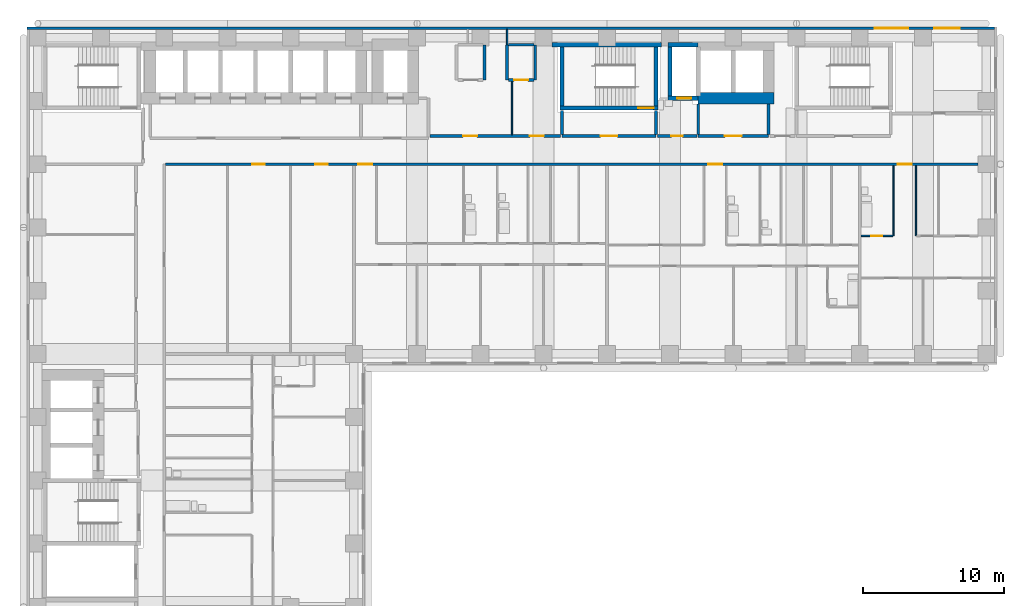
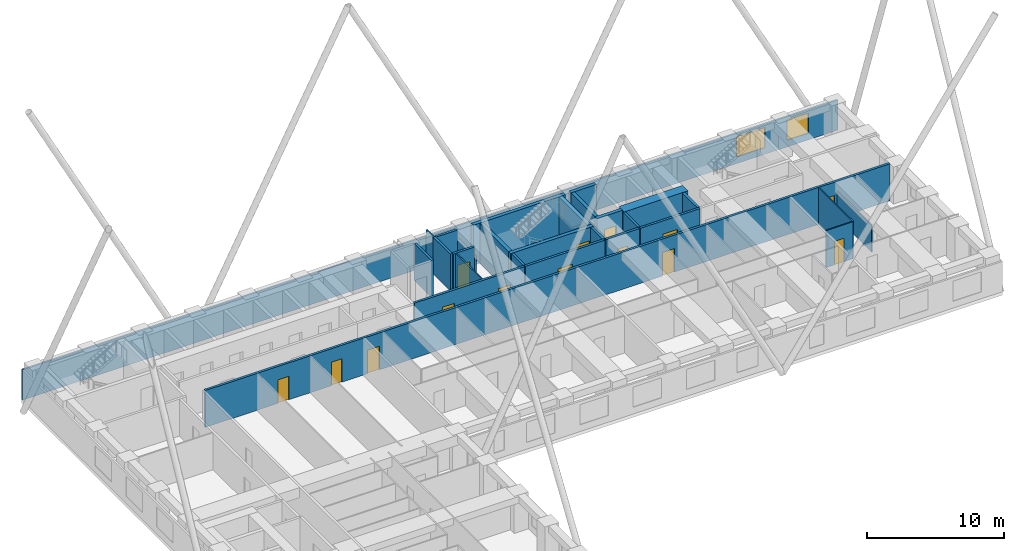
# One storey, part 8 of 12: 28 walls, 14 doors, 2 windows, 16 openings.
"""IFC4 building model written with IfcOpenShell, lengths in metres."""

from ifc_helpers import new_model, si_unit, direction, frame, frame_2d, origin, place, context, subcontext, project, spatial, rectangle, extrude, material, layer, layer_set, type_object, element, fill, save


model = new_model("IFC4")

# Units and contexts
model_context = context("Model", 3, precision=1e-05, world=origin(), true_north=direction((0.0, 1.0)))
body_context = subcontext(model_context, "Body", "Model", "MODEL_VIEW")
ifc_project = project(units=[si_unit("LENGTHUNIT", "METRE"), si_unit("AREAUNIT", "SQUARE_METRE"), si_unit("VOLUMEUNIT", "CUBIC_METRE"), si_unit("PLANEANGLEUNIT", "RADIAN"), si_unit("MASSUNIT", "GRAM", prefix="KILO")], contexts=[model_context])

# Site, building, storey
site_placement = place(None, origin())
site = spatial("IfcSite", under=ifc_project, at=site_placement, CompositionType="ELEMENT")
building_placement = place(site_placement, origin())
building = spatial("IfcBuilding", under=site, at=building_placement, Name="Firuza Court", CompositionType="ELEMENT")
storey_placement = place(building_placement, frame((0.0, 0.0, 93.800048828125)))
storey = spatial("IfcBuildingStorey", under=building, at=storey_placement, Name="L23", CompositionType="ELEMENT", Elevation=93.800048828125)

# Walls
ifc_material_1 = material(Name="Moisture-resistant gypsum board partition")
ifc_layer_1 = layer(ifc_material_1, 0.10009765625)
ifc_layer_set_1 = layer_set([ifc_layer_1], Name="Moisture-resistant gypsum board partition")
wall_type_1 = type_object("IfcWallType", Name="Bathroom partition 100", PredefinedType="PLUMBINGWALL", material=ifc_layer_set_1)
wall_1_placement = place(storey_placement, frame((60.89990234375, 44.39990234375, 0.0), z_axis=(0.0, 0.0, 1.0), x_axis=(0.0, 1.0, 0.0)))
element("IfcWall", 1, at=wall_1_placement, inside=storey, type_object=wall_type_1, Name="Bathroom partition 100 L23", PredefinedType="PLUMBINGWALL", context=body_context, shape_type="SweptSolid", body=[
    extrude(rectangle(XDim=5.0, YDim=0.10009765625, at=frame_2d((2.5, 0.0))), origin(), (0.0, 0.0, 1.0), 3.300048828125),
])
ifc_material_2 = material(Name="Concrete C60/75", Category="concrete")
ifc_layer_2 = layer(ifc_material_2, 0.300048828125)
ifc_layer_set_2 = layer_set([ifc_layer_2], Name="Concrete C60/75")
wall_type_2 = type_object("IfcWallType", Name="Core wall 300 C60/75", PredefinedType="SHEAR", material=ifc_layer_set_2)
wall_2_placement = place(storey_placement, frame((36.60009765625, 58.0, -0.300048828125), z_axis=(0.0, 0.0, 1.0), x_axis=(1.0, 0.0, 0.0)))
element("IfcWall", 2, at=wall_2_placement, inside=storey, type_object=wall_type_2, Name="Core wall stair L23", PredefinedType="SHEAR", context=body_context, shape_type="SweptSolid", body=[
    extrude(rectangle(XDim=7.7998046875, YDim=0.300048828125, at=frame_2d((3.89990234375, 0.0))), origin(), (0.0, 0.0, 1.0), 3.60009765625),
])

# Wall, opening, door
wall_3_placement = place(storey_placement, frame((37.14990234375, 53.5, -0.300048828125), z_axis=(0.0, 0.0, 1.0), x_axis=(1.0, 0.0, 0.0)))
wall_3 = element("IfcWall", 3, at=wall_3_placement, inside=storey, type_object=wall_type_2, Name="Core wall stair L23", PredefinedType="SHEAR", context=body_context, shape_type="SweptSolid", body=[
    extrude(rectangle(XDim=7.0, YDim=0.300048828125, at=frame_2d((3.5, 0.0))), origin(), (0.0, 0.0, 1.0), 3.60009765625),
])
opening_1_placement = place(wall_3_placement, frame((5.580078125, 0.0, 0.300048828125)))
opening_1 = element("IfcOpeningElement", 4, at=opening_1_placement, cuts=wall_3, Name="Opening D23013", PredefinedType="OPENING", context=body_context, shape_type="SweptSolid", body=[
    extrude(rectangle(XDim=1.10009765625, YDim=2.10009765625, at=frame_2d((0.550048828125, 1.050048828125))), frame((0.0, 0.162109375, 0.0), z_axis=(0.0, -1.0, 0.0), x_axis=(1.0, 0.0, 0.0)), (0.0, 0.0, 1.0), 0.323974609375),
])
ifc_material_3 = material(Name="Timber door leaf in hardwood frame", Category="wood")
door_type_1 = type_object("IfcDoorType", Name="Stair door 1100", OperationType="SINGLE_SWING_LEFT", PredefinedType="DOOR", material=ifc_material_3)
door_1_placement = place(opening_1_placement, origin())
door_1 = element("IfcDoor", 5, at=door_1_placement, inside=storey, type_object=door_type_1, Name="Stair door S1", OperationType="SINGLE_SWING_RIGHT", OverallHeight=2.10009765625, OverallWidth=1.10009765625, PredefinedType="DOOR", context=body_context, shape_type="SweptSolid", body=[
    extrude(rectangle(XDim=1.10009765625, YDim=2.10009765625, at=frame_2d((0.550048828125, 1.050048828125))), frame((0.0, 0.02490234375, 0.0), z_axis=(0.0, -1.0, 0.0), x_axis=(1.0, 0.0, 0.0)), (0.0, 0.0, 1.0), 0.050048828125),
])
fill(opening_1, door_1)

# Walls
for number, where, z_axis, x_axis, name in (
    (6, (37.300048828125, 53.64990234375, -0.300048828125), (0.0, 0.0, 1.0), (0.0, 1.0, 0.0), "Core wall stair L23"),
    (7, (44.0, 53.64990234375, -0.300048828125), (0.0, 0.0, 1.0), (0.0, 1.0, 0.0), "Core wall stair L23"),
):
    element("IfcWall", number, at=place(storey_placement, frame(where, z_axis=z_axis, x_axis=x_axis)), inside=storey, type_object=wall_type_2, Name=name, PredefinedType="SHEAR", context=body_context, shape_type="SweptSolid", body=[
        extrude(rectangle(XDim=4.2001953125, YDim=0.300048828125, at=frame_2d((2.10009765625, 0.0))), origin(), (0.0, 0.0, 1.0), 3.60009765625),
    ])

# Wall, opening, door
wall_4_placement = place(storey_placement, frame((44.85009765625, 54.199951171875, -0.300048828125), z_axis=(0.0, 0.0, 1.0), x_axis=(1.0, 0.0, 0.0)))
wall_4 = element("IfcWall", 8, at=wall_4_placement, inside=storey, type_object=wall_type_2, Name="Core wall riser L23", PredefinedType="SHEAR", context=body_context, shape_type="SweptSolid", body=[
    extrude(rectangle(XDim=2.14990234375, YDim=0.300048828125, at=frame_2d((1.074951171875, 0.0))), origin(), (0.0, 0.0, 1.0), 3.60009765625),
])
opening_2_placement = place(wall_4_placement, frame((0.64990234375, 0.0, 0.300048828125)))
opening_2 = element("IfcOpeningElement", 9, at=opening_2_placement, cuts=wall_4, Name="Opening D23011", PredefinedType="OPENING", context=body_context, shape_type="SweptSolid", body=[
    extrude(rectangle(XDim=1.0, YDim=2.10009765625, at=frame_2d((0.5, 1.050048828125))), frame((0.0, 0.162109375, 0.0), z_axis=(0.0, -1.0, 0.0), x_axis=(1.0, 0.0, 0.0)), (0.0, 0.0, 1.0), 0.323974609375),
])
ifc_material_4 = material(Name="Timber door leaf in hardwood frame", Category="wood")
door_type_2 = type_object("IfcDoorType", Name="Riser door 1000", OperationType="SINGLE_SWING_LEFT", PredefinedType="DOOR", material=ifc_material_4)
door_2_placement = place(opening_2_placement, origin())
door_2 = element("IfcDoor", 10, at=door_2_placement, inside=storey, type_object=door_type_2, Name="Riser door R3", OperationType="SINGLE_SWING_LEFT", OverallHeight=2.10009765625, OverallWidth=1.0, PredefinedType="DOOR", context=body_context, shape_type="SweptSolid", body=[
    extrude(rectangle(XDim=1.0, YDim=2.10009765625, at=frame_2d((0.5, 1.050048828125))), frame((0.0, 0.02490234375, 0.0), z_axis=(0.0, -1.0, 0.0), x_axis=(1.0, 0.0, 0.0)), (0.0, 0.0, 1.0), 0.050048828125),
])
fill(opening_2, door_2)

# Walls
wall_5_placement = place(storey_placement, frame((44.85009765625, 58.0, -0.300048828125), z_axis=(0.0, 0.0, 1.0), x_axis=(1.0, 0.0, 0.0)))
element("IfcWall", 11, at=wall_5_placement, inside=storey, type_object=wall_type_2, Name="Core wall riser L23", PredefinedType="SHEAR", context=body_context, shape_type="SweptSolid", body=[
    extrude(rectangle(XDim=2.14990234375, YDim=0.300048828125, at=frame_2d((1.074951171875, 0.0))), origin(), (0.0, 0.0, 1.0), 3.60009765625),
])
wall_6_placement = place(storey_placement, frame((45.0, 54.35009765625, -0.300048828125), z_axis=(0.0, 0.0, 1.0), x_axis=(0.0, 1.0, 0.0)))
element("IfcWall", 12, at=wall_6_placement, inside=storey, type_object=wall_type_2, Name="Core wall riser L23", PredefinedType="SHEAR", context=body_context, shape_type="SweptSolid", body=[
    extrude(rectangle(XDim=3.5, YDim=0.300048828125, at=frame_2d((1.75, 0.0))), origin(), (0.0, 0.0, 1.0), 3.60009765625),
])
ifc_layer_3 = layer(ifc_material_2, 0.800048828125)
ifc_layer_set_3 = layer_set([ifc_layer_3], Name="Concrete C60/75")
wall_type_3 = type_object("IfcWallType", Name="Core wall 800 C60/75", PredefinedType="SHEAR", material=ifc_layer_set_3)
wall_7_placement = place(storey_placement, frame((47.0, 54.199951171875, -0.300048828125), z_axis=(0.0, 0.0, 1.0), x_axis=(1.0, 0.0, 0.0)))
element("IfcWall", 13, at=wall_7_placement, inside=storey, type_object=wall_type_3, Name="Core wall lift shaft L23", PredefinedType="SHEAR", context=body_context, shape_type="SweptSolid", body=[
    extrude(rectangle(XDim=5.39990234375, YDim=0.800048828125, at=frame_2d((2.699951171875, 0.0))), origin(), (0.0, 0.0, 1.0), 3.60009765625),
])

# Wall, openings, doors
ifc_material_5 = material(Name="Blockwork, plastered both sides", Category="masonry")
ifc_layer_4 = layer(ifc_material_5, 0.199951171875)
ifc_layer_set_4 = layer_set([ifc_layer_4], Name="Blockwork, plastered both sides")
wall_type_4 = type_object("IfcWallType", Name="Corridor wall 200", PredefinedType="PARTITIONING", material=ifc_layer_set_4)
wall_8_placement = place(storey_placement, frame((9.10009765625, 49.5, 0.0), z_axis=(0.0, 0.0, 1.0), x_axis=(1.0, 0.0, 0.0)))
wall_8 = element("IfcWall", 14, at=wall_8_placement, inside=storey, type_object=wall_type_4, Name="Corridor wall 200 L23", PredefinedType="PARTITIONING", context=body_context, shape_type="SweptSolid", body=[
    extrude(rectangle(XDim=57.7998046875, YDim=0.199951171875, at=frame_2d((28.89990234375, 0.0))), origin(), (0.0, 0.0, 1.0), 3.300048828125),
])
opening_3_placement = place(wall_8_placement, frame((13.699951171875, 0.0, 0.0)))
opening_3 = element("IfcOpeningElement", 15, at=opening_3_placement, cuts=wall_8, Name="Opening D23066", PredefinedType="OPENING", context=body_context, shape_type="SweptSolid", body=[
    extrude(rectangle(XDim=1.0, YDim=2.10009765625, at=frame_2d((0.5, 1.050048828125))), frame((0.0, 0.11181640625, 0.0), z_axis=(0.0, -1.0, 0.0), x_axis=(1.0, 0.0, 0.0)), (0.0, 0.0, 1.0), 0.223876953125),
])
opening_4_placement = place(wall_8_placement, frame((38.60009765625, 0.0, 0.0)))
opening_4 = element("IfcOpeningElement", 16, at=opening_4_placement, cuts=wall_8, Name="Opening D23067", PredefinedType="OPENING", context=body_context, shape_type="SweptSolid", body=[
    extrude(rectangle(XDim=1.0, YDim=2.10009765625, at=frame_2d((0.5, 1.050048828125))), frame((0.0, 0.11181640625, 0.0), z_axis=(0.0, -1.0, 0.0), x_axis=(1.0, 0.0, 0.0)), (0.0, 0.0, 1.0), 0.223876953125),
])
opening_5_placement = place(wall_8_placement, frame((52.10009765625, 0.0, 0.0)))
opening_5 = element("IfcOpeningElement", 17, at=opening_5_placement, cuts=wall_8, Name="Opening D23068", PredefinedType="OPENING", context=body_context, shape_type="SweptSolid", body=[
    extrude(rectangle(XDim=1.0, YDim=2.10009765625, at=frame_2d((0.5, 1.050048828125))), frame((0.0, 0.11181640625, 0.0), z_axis=(0.0, -1.0, 0.0), x_axis=(1.0, 0.0, 0.0)), (0.0, 0.0, 1.0), 0.223876953125),
])
opening_6_placement = place(wall_8_placement, frame((6.14990234375, 0.0, 0.0)))
opening_6 = element("IfcOpeningElement", 18, at=opening_6_placement, cuts=wall_8, Name="Opening D23069", PredefinedType="OPENING", context=body_context, shape_type="SweptSolid", body=[
    extrude(rectangle(XDim=0.89990234375, YDim=2.10009765625, at=frame_2d((0.449951171875, 1.050048828125))), frame((0.0, 0.11181640625, 0.0), z_axis=(0.0, -1.0, 0.0), x_axis=(1.0, 0.0, 0.0)), (0.0, 0.0, 1.0), 0.223876953125),
])
opening_7_placement = place(wall_8_placement, frame((10.64990234375, 0.0, 0.0)))
opening_7 = element("IfcOpeningElement", 19, at=opening_7_placement, cuts=wall_8, Name="Opening D23070", PredefinedType="OPENING", context=body_context, shape_type="SweptSolid", body=[
    extrude(rectangle(XDim=0.89990234375, YDim=2.10009765625, at=frame_2d((0.449951171875, 1.050048828125))), frame((0.0, 0.11181640625, 0.0), z_axis=(0.0, -1.0, 0.0), x_axis=(1.0, 0.0, 0.0)), (0.0, 0.0, 1.0), 0.223876953125),
])
ifc_material_6 = material(Name="Timber door leaf in hardwood frame", Category="wood")
door_type_3 = type_object("IfcDoorType", Name="Flat entrance door 1000", OperationType="SINGLE_SWING_LEFT", PredefinedType="DOOR", material=ifc_material_6)
door_3_placement = place(opening_3_placement, origin())
door_3 = element("IfcDoor", 20, at=door_3_placement, inside=storey, type_object=door_type_3, Name="Flat entrance door", OperationType="SINGLE_SWING_LEFT", OverallHeight=2.10009765625, OverallWidth=1.0, PredefinedType="DOOR", context=body_context, shape_type="SweptSolid", body=[
    extrude(rectangle(XDim=1.0, YDim=2.10009765625, at=frame_2d((0.5, 1.050048828125))), frame((0.0, 0.02490234375, 0.0), z_axis=(0.0, -1.0, 0.0), x_axis=(1.0, 0.0, 0.0)), (0.0, 0.0, 1.0), 0.050048828125),
])
fill(opening_3, door_3)
door_4_placement = place(opening_4_placement, origin())
door_4 = element("IfcDoor", 21, at=door_4_placement, inside=storey, type_object=door_type_3, Name="Flat entrance door", OperationType="SINGLE_SWING_LEFT", OverallHeight=2.10009765625, OverallWidth=1.0, PredefinedType="DOOR", context=body_context, shape_type="SweptSolid", body=[
    extrude(rectangle(XDim=1.0, YDim=2.10009765625, at=frame_2d((0.5, 1.050048828125))), frame((0.0, 0.02490234375, 0.0), z_axis=(0.0, -1.0, 0.0), x_axis=(1.0, 0.0, 0.0)), (0.0, 0.0, 1.0), 0.050048828125),
])
fill(opening_4, door_4)
door_5_placement = place(opening_5_placement, origin())
door_5 = element("IfcDoor", 22, at=door_5_placement, inside=storey, type_object=door_type_3, Name="Flat entrance door", OperationType="SINGLE_SWING_RIGHT", OverallHeight=2.10009765625, OverallWidth=1.0, PredefinedType="DOOR", context=body_context, shape_type="SweptSolid", body=[
    extrude(rectangle(XDim=1.0, YDim=2.10009765625, at=frame_2d((0.5, 1.050048828125))), frame((0.0, 0.02490234375, 0.0), z_axis=(0.0, -1.0, 0.0), x_axis=(1.0, 0.0, 0.0)), (0.0, 0.0, 1.0), 0.050048828125),
])
fill(opening_5, door_5)
ifc_material_7 = material(Name="Timber door leaf in hardwood frame", Category="wood")
door_type_4 = type_object("IfcDoorType", Name="Room door 900 EI 30", OperationType="SINGLE_SWING_LEFT", PredefinedType="DOOR", material=ifc_material_7)
door_6_placement = place(opening_6_placement, frame((0.89990234375, 0.0, 0.0), z_axis=(0.0, 0.0, 1.0), x_axis=(-1.0, 0.0, 0.0)))
door_6 = element("IfcDoor", 23, at=door_6_placement, inside=storey, type_object=door_type_4, Name="Playroom door", OperationType="SINGLE_SWING_RIGHT", OverallHeight=2.10009765625, OverallWidth=0.89990234375, PredefinedType="DOOR", context=body_context, shape_type="SweptSolid", body=[
    extrude(rectangle(XDim=0.89990234375, YDim=2.10009765625, at=frame_2d((0.449951171875, 1.050048828125))), frame((0.0, 0.02490234375, 0.0), z_axis=(0.0, -1.0, 0.0), x_axis=(1.0, 0.0, 0.0)), (0.0, 0.0, 1.0), 0.050048828125),
])
fill(opening_6, door_6)
door_7_placement = place(opening_7_placement, origin())
door_7 = element("IfcDoor", 24, at=door_7_placement, inside=storey, type_object=door_type_4, Name="Yoga studio door", OperationType="SINGLE_SWING_LEFT", OverallHeight=2.10009765625, OverallWidth=0.89990234375, PredefinedType="DOOR", context=body_context, shape_type="SweptSolid", body=[
    extrude(rectangle(XDim=0.89990234375, YDim=2.10009765625, at=frame_2d((0.449951171875, 1.050048828125))), frame((0.0, 0.02490234375, 0.0), z_axis=(0.0, -1.0, 0.0), x_axis=(1.0, 0.0, 0.0)), (0.0, 0.0, 1.0), 0.050048828125),
])
fill(opening_7, door_7)

wall_9_placement = place(storey_placement, frame((27.89990234375, 51.5, 0.0), z_axis=(0.0, 0.0, 1.0), x_axis=(1.0, 0.0, 0.0)))
wall_9 = element("IfcWall", 25, at=wall_9_placement, inside=storey, type_object=wall_type_4, Name="Corridor wall 200 L23", PredefinedType="PARTITIONING", context=body_context, shape_type="SweptSolid", body=[
    extrude(rectangle(XDim=9.300048828125, YDim=0.199951171875, at=frame_2d((4.64990234375, 0.0))), origin(), (0.0, 0.0, 1.0), 3.300048828125),
])
opening_8_placement = place(wall_9_placement, frame((2.375, 0.0, 0.0)))
opening_8 = element("IfcOpeningElement", 26, at=opening_8_placement, cuts=wall_9, Name="Opening D23071", PredefinedType="OPENING", context=body_context, shape_type="SweptSolid", body=[
    extrude(rectangle(XDim=1.0, YDim=2.10009765625, at=frame_2d((0.5, 1.050048828125))), frame((0.0, 0.11181640625, 0.0), z_axis=(0.0, -1.0, 0.0), x_axis=(1.0, 0.0, 0.0)), (0.0, 0.0, 1.0), 0.223876953125),
])
opening_9_placement = place(wall_9_placement, frame((7.125, 0.0, 0.0)))
opening_9 = element("IfcOpeningElement", 27, at=opening_9_placement, cuts=wall_9, Name="Opening D23072", PredefinedType="OPENING", context=body_context, shape_type="SweptSolid", body=[
    extrude(rectangle(XDim=1.0, YDim=2.10009765625, at=frame_2d((0.5, 1.050048828125))), frame((0.0, 0.11181640625, 0.0), z_axis=(0.0, -1.0, 0.0), x_axis=(1.0, 0.0, 0.0)), (0.0, 0.0, 1.0), 0.223876953125),
])
ifc_material_8 = material(Name="Timber door leaf in hardwood frame", Category="wood")
door_type_5 = type_object("IfcDoorType", Name="Store door 1000", OperationType="SINGLE_SWING_LEFT", PredefinedType="DOOR", material=ifc_material_8)
door_8_placement = place(opening_8_placement, origin())
door_8 = element("IfcDoor", 28, at=door_8_placement, inside=storey, type_object=door_type_5, Name="Comms room door", OperationType="SINGLE_SWING_LEFT", OverallHeight=2.10009765625, OverallWidth=1.0, PredefinedType="DOOR", context=body_context, shape_type="SweptSolid", body=[
    extrude(rectangle(XDim=1.0, YDim=2.10009765625, at=frame_2d((0.5, 1.050048828125))), frame((0.0, 0.02490234375, 0.0), z_axis=(0.0, -1.0, 0.0), x_axis=(1.0, 0.0, 0.0)), (0.0, 0.0, 1.0), 0.050048828125),
])
fill(opening_8, door_8)
door_9_placement = place(opening_9_placement, origin())
door_9 = element("IfcDoor", 29, at=door_9_placement, inside=storey, type_object=door_type_5, Name="Cleaner's store door", OperationType="SINGLE_SWING_LEFT", OverallHeight=2.10009765625, OverallWidth=1.0, PredefinedType="DOOR", context=body_context, shape_type="SweptSolid", body=[
    extrude(rectangle(XDim=1.0, YDim=2.10009765625, at=frame_2d((0.5, 1.050048828125))), frame((0.0, 0.02490234375, 0.0), z_axis=(0.0, -1.0, 0.0), x_axis=(1.0, 0.0, 0.0)), (0.0, 0.0, 1.0), 0.050048828125),
])
fill(opening_9, door_9)

# Wall, opening, door
wall_10_placement = place(storey_placement, frame((44.10009765625, 51.5, 0.0), z_axis=(0.0, 0.0, 1.0), x_axis=(1.0, 0.0, 0.0)))
wall_10 = element("IfcWall", 30, at=wall_10_placement, inside=storey, type_object=wall_type_4, Name="Corridor wall 200 L23", PredefinedType="PARTITIONING", context=body_context, shape_type="SweptSolid", body=[
    extrude(rectangle(XDim=2.7998046875, YDim=0.199951171875, at=frame_2d((1.39990234375, 0.0))), origin(), (0.0, 0.0, 1.0), 3.300048828125),
])
opening_10_placement = place(wall_10_placement, frame((1.0, 0.0, 0.0)))
opening_10 = element("IfcOpeningElement", 31, at=opening_10_placement, cuts=wall_10, Name="Opening D23073", PredefinedType="OPENING", context=body_context, shape_type="SweptSolid", body=[
    extrude(rectangle(XDim=0.800048828125, YDim=2.10009765625, at=frame_2d((0.39990234375, 1.050048828125))), frame((0.0, 0.11181640625, 0.0), z_axis=(0.0, -1.0, 0.0), x_axis=(1.0, 0.0, 0.0)), (0.0, 0.0, 1.0), 0.223876953125),
])
ifc_material_9 = material(Name="Timber door leaf in hardwood frame", Category="wood")
door_type_6 = type_object("IfcDoorType", Name="Bathroom door 800 EI 30", OperationType="SINGLE_SWING_LEFT", PredefinedType="DOOR", material=ifc_material_9)
door_10_placement = place(opening_10_placement, origin())
door_10 = element("IfcDoor", 32, at=door_10_placement, inside=storey, type_object=door_type_6, Name="Accessible WC door", OperationType="SINGLE_SWING_LEFT", OverallHeight=2.10009765625, OverallWidth=0.800048828125, PredefinedType="DOOR", context=body_context, shape_type="SweptSolid", body=[
    extrude(rectangle(XDim=0.800048828125, YDim=2.10009765625, at=frame_2d((0.39990234375, 1.050048828125))), frame((0.0, 0.02490234375, 0.0), z_axis=(0.0, -1.0, 0.0), x_axis=(1.0, 0.0, 0.0)), (0.0, 0.0, 1.0), 0.050048828125),
])
fill(opening_10, door_10)

ifc_material_10 = material(Name="Timber stud partition, plasterboard both sides", Category="wood")
ifc_layer_5 = layer(ifc_material_10, 0.10009765625)
ifc_layer_set_5 = layer_set([ifc_layer_5], Name="Timber stud partition, plasterboard both sides")
wall_type_5 = type_object("IfcWallType", Name="Partition wall 100", PredefinedType="PARTITIONING", material=ifc_layer_set_5)
wall_11_placement = place(storey_placement, frame((58.60009765625, 44.39990234375, 0.0), z_axis=(0.0, 0.0, 1.0), x_axis=(1.0, 0.0, 0.0)))
wall_11 = element("IfcWall", 33, at=wall_11_placement, inside=storey, type_object=wall_type_5, Name="Partition wall 100 L23", PredefinedType="PARTITIONING", context=body_context, shape_type="SweptSolid", body=[
    extrude(rectangle(XDim=2.25, YDim=0.10009765625, at=frame_2d((1.125, 0.0))), origin(), (0.0, 0.0, 1.0), 3.300048828125),
])
opening_11_placement = place(wall_11_placement, frame((0.699951171875, 0.0, 0.0)))
opening_11 = element("IfcOpeningElement", 34, at=opening_11_placement, cuts=wall_11, Name="Opening D23063", PredefinedType="OPENING", context=body_context, shape_type="SweptSolid", body=[
    extrude(rectangle(XDim=0.800048828125, YDim=2.10009765625, at=frame_2d((0.39990234375, 1.050048828125))), frame((0.0, 0.06201171875, 0.0), z_axis=(0.0, -1.0, 0.0), x_axis=(1.0, 0.0, 0.0)), (0.0, 0.0, 1.0), 0.1240234375),
])
ifc_material_11 = material(Name="Timber door leaf in hardwood frame", Category="wood")
door_type_7 = type_object("IfcDoorType", Name="Bathroom door 800", OperationType="SINGLE_SWING_LEFT", PredefinedType="DOOR", material=ifc_material_11)
door_11_placement = place(opening_11_placement, origin())
door_11 = element("IfcDoor", 35, at=door_11_placement, inside=storey, type_object=door_type_7, Name="Bathroom door", OperationType="SINGLE_SWING_LEFT", OverallHeight=2.10009765625, OverallWidth=0.800048828125, PredefinedType="DOOR", context=body_context, shape_type="SweptSolid", body=[
    extrude(rectangle(XDim=0.800048828125, YDim=2.10009765625, at=frame_2d((0.39990234375, 1.050048828125))), frame((0.0, 0.02490234375, 0.0), z_axis=(0.0, -1.0, 0.0), x_axis=(1.0, 0.0, 0.0)), (0.0, 0.0, 1.0), 0.050048828125),
])
fill(opening_11, door_11)

# Walls
wall_12_placement = place(storey_placement, frame((62.5, 44.39990234375, 0.0), z_axis=(0.0, 0.0, 1.0), x_axis=(0.0, 1.0, 0.0)))
element("IfcWall", 36, at=wall_12_placement, inside=storey, type_object=wall_type_5, Name="Partition wall 100 L23", PredefinedType="PARTITIONING", context=body_context, shape_type="SweptSolid", body=[
    extrude(rectangle(XDim=5.0, YDim=0.10009765625, at=frame_2d((2.5, 0.0))), origin(), (0.0, 0.0, 1.0), 2.39990234375),
])
wall_13_placement = place(storey_placement, frame((33.75, 51.60009765625, 0.0), z_axis=(0.0, 0.0, 1.0), x_axis=(0.0, 1.0, 0.0)))
element("IfcWall", 37, at=wall_13_placement, inside=storey, type_object=wall_type_5, Name="Partition wall 100 L23", PredefinedType="PARTITIONING", context=body_context, shape_type="SweptSolid", body=[
    extrude(rectangle(XDim=3.7998046875, YDim=0.10009765625, at=frame_2d((1.89990234375, 0.0))), origin(), (0.0, 0.0, 1.0), 3.300048828125),
])
wall_14_placement = place(storey_placement, frame((33.39990234375, 58.0, 0.0), z_axis=(0.0, 0.0, 1.0), x_axis=(0.0, 1.0, 0.0)))
element("IfcWall", 38, at=wall_14_placement, inside=storey, type_object=wall_type_5, Name="Partition wall 100 L23", PredefinedType="PARTITIONING", context=body_context, shape_type="SweptSolid", body=[
    extrude(rectangle(XDim=1.10009765625, YDim=0.10009765625, at=frame_2d((0.550048828125, 0.0))), origin(), (0.0, 0.0, 1.0), 3.300048828125),
])
ifc_material_12 = material(Name="Blockwork, fire-rated", Category="masonry")
ifc_layer_6 = layer(ifc_material_12, 0.199951171875)
ifc_layer_set_6 = layer_set([ifc_layer_6], Name="Blockwork, fire-rated")
wall_type_6 = type_object("IfcWallType", Name="Plant room wall 200", PredefinedType="PARTITIONING", material=ifc_layer_set_6)
for number, where, z_axis, x_axis, name in (
    (39, (31.800048828125, 55.5, 0.0), (0.0, 0.0, 1.0), (0.0, 1.0, 0.0), "Plant room wall 200 L23"),
    (40, (33.39990234375, 55.5, 0.0), (0.0, 0.0, 1.0), (0.0, 1.0, 0.0), "Plant room wall 200 L23"),
):
    element("IfcWall", number, at=place(storey_placement, frame(where, z_axis=z_axis, x_axis=x_axis)), inside=storey, type_object=wall_type_6, Name=name, PredefinedType="PARTITIONING", context=body_context, shape_type="SweptSolid", body=[
        extrude(rectangle(XDim=2.5, YDim=0.199951171875, at=frame_2d((1.25, 0.0))), origin(), (0.0, 0.0, 1.0), 3.300048828125),
    ])

# Wall, opening, door
wall_15_placement = place(storey_placement, frame((33.5, 55.5, 0.0), z_axis=(0.0, 0.0, 1.0), x_axis=(1.0, 0.0, 0.0)))
wall_15 = element("IfcWall", 41, at=wall_15_placement, inside=storey, type_object=wall_type_6, Name="Plant room wall 200 L23", PredefinedType="PARTITIONING", context=body_context, shape_type="SweptSolid", body=[
    extrude(rectangle(XDim=1.800048828125, YDim=0.199951171875, at=frame_2d((0.89990234375, 0.0))), origin(), (0.0, 0.0, 1.0), 3.300048828125),
])
opening_12_placement = place(wall_15_placement, frame((0.39990234375, 0.0, 0.0)))
opening_12 = element("IfcOpeningElement", 42, at=opening_12_placement, cuts=wall_15, Name="Opening D23077", PredefinedType="OPENING", context=body_context, shape_type="SweptSolid", body=[
    extrude(rectangle(XDim=1.0, YDim=2.10009765625, at=frame_2d((0.5, 1.050048828125))), frame((0.0, 0.11181640625, 0.0), z_axis=(0.0, -1.0, 0.0), x_axis=(1.0, 0.0, 0.0)), (0.0, 0.0, 1.0), 0.223876953125),
])
door_12_placement = place(opening_12_placement, origin())
door_12 = element("IfcDoor", 43, at=door_12_placement, inside=storey, type_object=door_type_2, Name="Duct riser door", OperationType="SINGLE_SWING_LEFT", OverallHeight=2.10009765625, OverallWidth=1.0, PredefinedType="DOOR", context=body_context, shape_type="SweptSolid", body=[
    extrude(rectangle(XDim=1.0, YDim=2.10009765625, at=frame_2d((0.5, 1.050048828125))), frame((0.0, 0.02490234375, 0.0), z_axis=(0.0, -1.0, 0.0), x_axis=(1.0, 0.0, 0.0)), (0.0, 0.0, 1.0), 0.050048828125),
])
fill(opening_12, door_12)

# Walls
wall_16_placement = place(storey_placement, frame((35.39990234375, 55.5, 0.0), z_axis=(0.0, 0.0, 1.0), x_axis=(0.0, 1.0, 0.0)))
element("IfcWall", 44, at=wall_16_placement, inside=storey, type_object=wall_type_6, Name="Plant room wall 200 L23", PredefinedType="PARTITIONING", context=body_context, shape_type="SweptSolid", body=[
    extrude(rectangle(XDim=2.5, YDim=0.199951171875, at=frame_2d((1.25, 0.0))), origin(), (0.0, 0.0, 1.0), 2.39990234375),
])
wall_17_placement = place(storey_placement, frame((33.5, 58.0, 0.0), z_axis=(0.0, 0.0, 1.0), x_axis=(1.0, 0.0, 0.0)))
element("IfcWall", 45, at=wall_17_placement, inside=storey, type_object=wall_type_6, Name="Plant room wall 200 L23", PredefinedType="PARTITIONING", context=body_context, shape_type="SweptSolid", body=[
    extrude(rectangle(XDim=1.800048828125, YDim=0.199951171875, at=frame_2d((0.89990234375, 0.0))), origin(), (0.0, 0.0, 1.0), 3.300048828125),
])

# Wall, openings, windows
ifc_material_13 = material(Name="Ceramic tile", Category="ceramic")
ifc_layer_7 = layer(ifc_material_13, 0.02001953125)
ifc_material_14 = material(Name="Mineral wool insulation", Category="insulation")
ifc_layer_8 = layer(ifc_material_14, 0.050048828125)
ifc_material_15 = material(Name="Concrete C40/50 precast", Category="concrete")
ifc_layer_9 = layer(ifc_material_15, 0.080078125)
ifc_layer_set_7 = layer_set([ifc_layer_7, ifc_layer_8, ifc_layer_9], Name="Concrete C40/50 precast")
wall_type_7 = type_object("IfcWallType", Name="Precast cladding wall with turquoise TILE PANEL face 150", PredefinedType="STANDARD", material=ifc_layer_set_7)
wall_18_placement = place(storey_placement, frame((68.10009765625, 59.175048828125, 0.0), z_axis=(0.0, 0.0, 1.0), x_axis=(-1.0, 0.0, 0.0)))
wall_18 = element("IfcWall", 46, at=wall_18_placement, inside=storey, type_object=wall_type_7, Name="Facade wall L23 N", PredefinedType="STANDARD", context=body_context, shape_type="SweptSolid", body=[
    extrude(rectangle(XDim=68.85009765625, YDim=0.14990234375, at=frame_2d((34.425048828125, 0.0))), origin(), (0.0, 0.0, 1.0), 2.699951171875),
])
opening_13_placement = place(wall_18_placement, frame((2.489990234375, 0.0, 0.60009765625)))
opening_13 = element("IfcOpeningElement", 47, at=opening_13_placement, cuts=wall_18, Name="Opening W7", PredefinedType="OPENING", context=body_context, shape_type="SweptSolid", body=[
    extrude(rectangle(XDim=1.800048828125, YDim=1.800048828125, at=frame_2d((0.89990234375, 0.89990234375))), frame((0.0, 0.0869140625, 0.0), z_axis=(0.0, -1.0, 0.0), x_axis=(1.0, 0.0, 0.0)), (0.0, 0.0, 1.0), 0.173828125),
])
opening_14_placement = place(wall_18_placement, frame((6.14990234375, 0.0, 0.60009765625)))
opening_14 = element("IfcOpeningElement", 48, at=opening_14_placement, cuts=wall_18, Name="Opening W1", PredefinedType="OPENING", context=body_context, shape_type="SweptSolid", body=[
    extrude(rectangle(XDim=2.39990234375, YDim=1.800048828125, at=frame_2d((1.199951171875, 0.89990234375))), frame((0.0, 0.0869140625, 0.0), z_axis=(0.0, -1.0, 0.0), x_axis=(1.0, 0.0, 0.0)), (0.0, 0.0, 1.0), 0.173828125),
])
ifc_material_16 = material(Name="Aluminium frame, triple clear glazing", Category="aluminium")
window_type_1 = type_object("IfcWindowType", Name="Window W1 2400 x 1800", PartitioningType="SINGLE_PANEL", PredefinedType="WINDOW", material=ifc_material_16)
window_1_placement = place(opening_14_placement, origin())
window_1 = element("IfcWindow", 49, at=window_1_placement, inside=storey, type_object=window_type_1, Name="Window L23", OverallHeight=1.800048828125, OverallWidth=2.39990234375, PartitioningType="SINGLE_PANEL", PredefinedType="WINDOW", context=body_context, shape_type="SweptSolid", body=[
    extrude(rectangle(XDim=2.39990234375, YDim=1.800048828125, at=frame_2d((1.199951171875, 0.89990234375))), frame((0.0, 0.030029296875, 0.0), z_axis=(0.0, -1.0, 0.0), x_axis=(1.0, 0.0, 0.0)), (0.0, 0.0, 1.0), 0.06005859375),
])
fill(opening_14, window_1)
ifc_material_17 = material(Name="Aluminium frame, triple clear glazing", Category="aluminium")
window_type_2 = type_object("IfcWindowType", Name="Window W7 1800 x 1800", PartitioningType="SINGLE_PANEL", PredefinedType="WINDOW", material=ifc_material_17)
window_2_placement = place(opening_13_placement, origin())
window_2 = element("IfcWindow", 50, at=window_2_placement, inside=storey, type_object=window_type_2, Name="Window L23", OverallHeight=1.800048828125, OverallWidth=1.800048828125, PartitioningType="SINGLE_PANEL", PredefinedType="WINDOW", context=body_context, shape_type="SweptSolid", body=[
    extrude(rectangle(XDim=1.800048828125, YDim=1.800048828125, at=frame_2d((0.89990234375, 0.89990234375))), frame((0.0, 0.030029296875, 0.0), z_axis=(0.0, -1.0, 0.0), x_axis=(1.0, 0.0, 0.0)), (0.0, 0.0, 1.0), 0.06005859375),
])
fill(opening_13, window_2)

# Wall, opening, door
ifc_layer_10 = layer(ifc_material_12, 0.199951171875)
ifc_layer_set_8 = layer_set([ifc_layer_10], Name="Blockwork, fire-rated")
wall_type_8 = type_object("IfcWallType", Name="Shaft wall 200", PredefinedType="PARTITIONING", material=ifc_layer_set_8)
wall_19_placement = place(storey_placement, frame((47.0, 51.5, 0.0), z_axis=(0.0, 0.0, 1.0), x_axis=(1.0, 0.0, 0.0)))
wall_19 = element("IfcWall", 51, at=wall_19_placement, inside=storey, type_object=wall_type_8, Name="Shaft wall 200 L23", PredefinedType="PARTITIONING", context=body_context, shape_type="SweptSolid", body=[
    extrude(rectangle(XDim=5.0, YDim=0.199951171875, at=frame_2d((2.5, 0.0))), origin(), (0.0, 0.0, 1.0), 3.300048828125),
])
opening_15_placement = place(wall_19_placement, frame((1.89990234375, 0.0, 0.0)))
opening_15 = element("IfcOpeningElement", 52, at=opening_15_placement, cuts=wall_19, Name="Opening D23009", PredefinedType="OPENING", context=body_context, shape_type="SweptSolid", body=[
    extrude(rectangle(XDim=1.199951171875, YDim=2.10009765625, at=frame_2d((0.60009765625, 1.050048828125))), frame((0.0, 0.11181640625, 0.0), z_axis=(0.0, -1.0, 0.0), x_axis=(1.0, 0.0, 0.0)), (0.0, 0.0, 1.0), 0.223876953125),
])
ifc_material_18 = material(Name="Timber door leaf in hardwood frame", Category="wood")
door_type_8 = type_object("IfcDoorType", Name="Lobby door 1200", OperationType="SINGLE_SWING_LEFT", PredefinedType="DOOR", material=ifc_material_18)
door_13_placement = place(opening_15_placement, origin())
door_13 = element("IfcDoor", 53, at=door_13_placement, inside=storey, type_object=door_type_8, Name="Lobby door", OperationType="SINGLE_SWING_LEFT", OverallHeight=2.10009765625, OverallWidth=1.199951171875, PredefinedType="DOOR", context=body_context, shape_type="SweptSolid", body=[
    extrude(rectangle(XDim=1.199951171875, YDim=2.10009765625, at=frame_2d((0.60009765625, 1.050048828125))), frame((0.0, 0.02490234375, 0.0), z_axis=(0.0, -1.0, 0.0), x_axis=(1.0, 0.0, 0.0)), (0.0, 0.0, 1.0), 0.050048828125),
])
fill(opening_15, door_13)

# Walls
for number, where, z_axis, x_axis, name in (
    (54, (52.0, 51.60009765625, 0.0), (0.0, 0.0, 1.0), (0.0, 1.0, 0.0), "Shaft wall 200 L23"),
    (55, (47.0, 51.60009765625, 0.0), (0.0, 0.0, 1.0), (0.0, 1.0, 0.0), "Shaft wall 200 L23"),
):
    element("IfcWall", number, at=place(storey_placement, frame(where, z_axis=z_axis, x_axis=x_axis)), inside=storey, type_object=wall_type_8, Name=name, PredefinedType="PARTITIONING", context=body_context, shape_type="SweptSolid", body=[
        extrude(rectangle(XDim=2.179931640625, YDim=0.199951171875, at=frame_2d((1.08984375, 0.0))), origin(), (0.0, 0.0, 1.0), 3.300048828125),
    ])

# Wall, opening, door
wall_20_placement = place(storey_placement, frame((37.300048828125, 51.5, 0.0), z_axis=(0.0, 0.0, 1.0), x_axis=(1.0, 0.0, 0.0)))
wall_20 = element("IfcWall", 56, at=wall_20_placement, inside=storey, type_object=wall_type_8, Name="Shaft wall 200 L23", PredefinedType="PARTITIONING", context=body_context, shape_type="SweptSolid", body=[
    extrude(rectangle(XDim=6.699951171875, YDim=0.199951171875, at=frame_2d((3.35009765625, 0.0))), origin(), (0.0, 0.0, 1.0), 3.300048828125),
])
opening_16_placement = place(wall_20_placement, frame((2.75, 0.0, 0.0)))
opening_16 = element("IfcOpeningElement", 57, at=opening_16_placement, cuts=wall_20, Name="Opening D23006", PredefinedType="OPENING", context=body_context, shape_type="SweptSolid", body=[
    extrude(rectangle(XDim=1.199951171875, YDim=2.10009765625, at=frame_2d((0.60009765625, 1.050048828125))), frame((0.0, 0.11181640625, 0.0), z_axis=(0.0, -1.0, 0.0), x_axis=(1.0, 0.0, 0.0)), (0.0, 0.0, 1.0), 0.223876953125),
])
door_14_placement = place(opening_16_placement, origin())
door_14 = element("IfcDoor", 58, at=door_14_placement, inside=storey, type_object=door_type_8, Name="Lobby door", OperationType="SINGLE_SWING_LEFT", OverallHeight=2.10009765625, OverallWidth=1.199951171875, PredefinedType="DOOR", context=body_context, shape_type="SweptSolid", body=[
    extrude(rectangle(XDim=1.199951171875, YDim=2.10009765625, at=frame_2d((0.60009765625, 1.050048828125))), frame((0.0, 0.02490234375, 0.0), z_axis=(0.0, -1.0, 0.0), x_axis=(1.0, 0.0, 0.0)), (0.0, 0.0, 1.0), 0.050048828125),
])
fill(opening_16, door_14)

# Walls
for number, where, z_axis, x_axis, name in (
    (59, (44.0, 51.60009765625, 0.0), (0.0, 0.0, 1.0), (0.0, 1.0, 0.0), "Shaft wall 200 L23"),
    (60, (37.300048828125, 51.60009765625, 0.0), (0.0, 0.0, 1.0), (0.0, 1.0, 0.0), "Shaft wall 200 L23"),
):
    element("IfcWall", number, at=place(storey_placement, frame(where, z_axis=z_axis, x_axis=x_axis)), inside=storey, type_object=wall_type_8, Name=name, PredefinedType="PARTITIONING", context=body_context, shape_type="SweptSolid", body=[
        extrude(rectangle(XDim=1.72998046875, YDim=0.199951171875, at=frame_2d((0.864990234375, 0.0))), origin(), (0.0, 0.0, 1.0), 3.300048828125),
    ])

save(model, "model.ifc")
